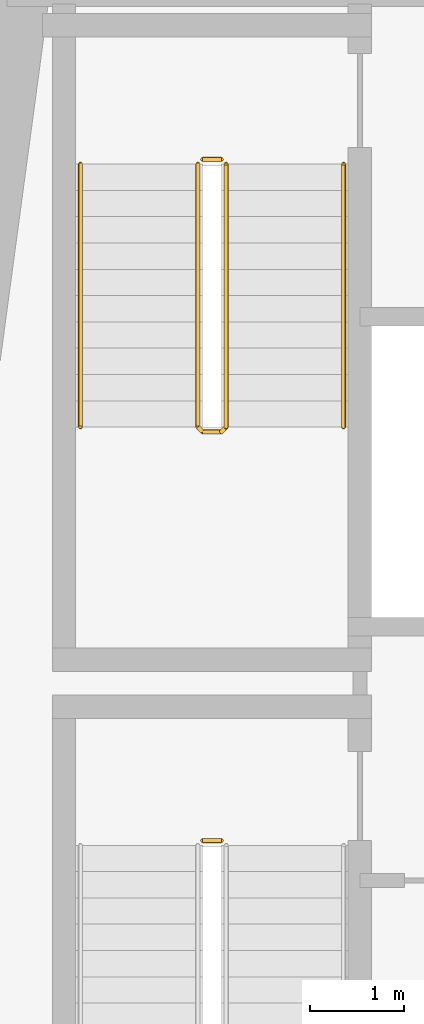
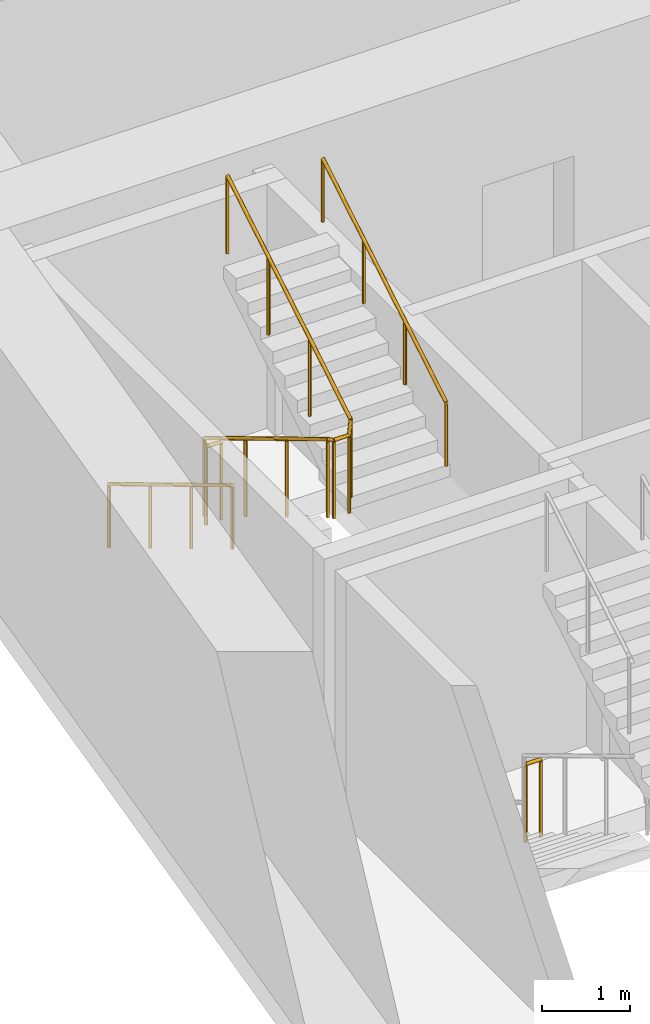
# One storey, part 10 of 13: 5 railings.
"""IFC4 building model written with IfcOpenShell, lengths in metres."""

from ifc_helpers import new_model, si_unit, direction, frame, origin, origin_2d, place, context, subcontext, project, spatial, circle, extrude, material, type_object, element, save


model = new_model("IFC4")

# Units and contexts
model_context = context("Model", 3, precision=1e-05, world=origin(), true_north=direction((0.0, 1.0)))
body_context = subcontext(model_context, "Body", "Model", "MODEL_VIEW")
ifc_project = project(units=[si_unit("LENGTHUNIT", "METRE"), si_unit("AREAUNIT", "SQUARE_METRE"), si_unit("VOLUMEUNIT", "CUBIC_METRE"), si_unit("PLANEANGLEUNIT", "RADIAN"), si_unit("MASSUNIT", "GRAM", prefix="KILO")], contexts=[model_context])

# Site, building, storey
site_placement = place(None, origin())
site = spatial("IfcSite", under=ifc_project, at=site_placement, CompositionType="ELEMENT")
building_placement = place(site_placement, origin())
building = spatial("IfcBuilding", under=site, at=building_placement, Name="Candeia Pilgrim Tower and Theatre", CompositionType="ELEMENT")
storey_placement = place(building_placement, frame((0.0, 0.0, 94.699951171875)))
storey = spatial("IfcBuildingStorey", under=building, at=storey_placement, Name="L21", CompositionType="ELEMENT", Elevation=94.699951171875)

# Railings
ifc_material_1 = material(Name="Stainless steel balustrade", Category="steel")
railing_type_1 = type_object("IfcRailingType", Name="RL-GUARD-1100", PredefinedType="GUARDRAIL", material=ifc_material_1)
railing_1_placement = place(storey_placement, frame((91.152099609375, 122.52490234375, 0.0)))
element("IfcRailing", 1, at=railing_1_placement, inside=storey, type_object=railing_type_1, Name="L21 ST1 stair guard 2", PredefinedType="GUARDRAIL", context=body_context, shape_type="SweptSolid", body=[
    extrude(circle(Radius=0.02392578125, at=origin_2d()), frame((0.0, 0.0, 1.076171875), z_axis=(1.0, 0.0, 0.0), x_axis=(0.0, 1.0, 0.0)), (0.0, 0.0, 1.0), 0.199951171875),
    extrude(circle(Radius=0.02099609375, at=origin_2d()), origin(), (0.0, 0.0, 1.0), 1.052001953125),
    extrude(circle(Radius=0.02099609375, at=origin_2d()), frame((0.199951171875, 0.0, 0.0)), (0.0, 0.0, 1.0), 1.052001953125),
])
railing_2_placement = place(storey_placement, frame((91.10205078125, 129.72509765625, 0.168212890625)))
element("IfcRailing", 2, at=railing_2_placement, inside=storey, type_object=railing_type_1, Name="L21 ST2 stair guard 1", PredefinedType="GUARDRAIL", context=body_context, shape_type="SweptSolid", body=[
    extrude(circle(Radius=0.02392578125, at=origin_2d()), frame((0.0, 0.0, 1.076171875), z_axis=(0.0, -0.857242210791, 0.514913383045), x_axis=(1.0, 0.0, 0.0)), (0.0, 0.0, 1.0), 3.266357421875),
    extrude(circle(Radius=0.02392578125, at=origin_2d()), frame((0.0, -2.800048828125, 2.7578125), z_axis=(0.707106781187, -0.707106781187, 0.0), x_axis=(0.707106781187, 0.707106781187, 0.0)), (0.0, 0.0, 1.0), 0.07080078125),
    extrude(circle(Radius=0.02392578125, at=origin_2d()), frame((0.050048828125, -2.85009765625, 2.7578125), z_axis=(1.0, 0.0, 0.0), x_axis=(0.0, 1.0, 0.0)), (0.0, 0.0, 1.0), 0.199951171875),
    extrude(circle(Radius=0.02392578125, at=origin_2d()), frame((0.25, -2.85009765625, 2.7578125), z_axis=(0.274243871929, 0.274243871929, 0.92172696468), x_axis=(-0.707106781187, 0.707106781187, 0.0)), (0.0, 0.0, 1.0), 0.1826171875),
    extrude(circle(Radius=0.02392578125, at=origin_2d()), frame((0.300048828125, -2.800048828125, 2.92626953125), z_axis=(0.0, 0.857275202839, 0.514858452973), x_axis=(-1.0, 0.0, 0.0)), (0.0, 0.0, 1.0), 3.26611328125),
    extrude(circle(Radius=0.02099609375, at=origin_2d()), origin(), (0.0, 0.0, 1.0), 1.052001953125),
    extrude(circle(Radius=0.02099609375, at=origin_2d()), frame((0.0, -0.933349609375, 0.560546875)), (0.0, 0.0, 1.0), 1.052001953125),
    extrude(circle(Radius=0.02099609375, at=origin_2d()), frame((0.0, -1.86669921875, 1.121337890625)), (0.0, 0.0, 1.0), 1.052001953125),
    extrude(circle(Radius=0.02099609375, at=origin_2d()), frame((0.0, -2.800048828125, 1.681884765625)), (0.0, 0.0, 1.0), 1.052001953125),
    extrude(circle(Radius=0.02099609375, at=origin_2d()), frame((0.050048828125, -2.85009765625, 1.681884765625)), (0.0, 0.0, 1.0), 1.052001953125),
    extrude(circle(Radius=0.02099609375, at=origin_2d()), frame((0.25, -2.85009765625, 1.681884765625)), (0.0, 0.0, 1.0), 1.052001953125),
    extrude(circle(Radius=0.02099609375, at=origin_2d()), frame((0.300048828125, -2.800048828125, 1.85009765625)), (0.0, 0.0, 1.0), 1.052001953125),
    extrude(circle(Radius=0.02099609375, at=origin_2d()), frame((0.300048828125, -1.86669921875, 2.41064453125)), (0.0, 0.0, 1.0), 1.052001953125),
    extrude(circle(Radius=0.02099609375, at=origin_2d()), frame((0.300048828125, -0.933349609375, 2.97119140625)), (0.0, 0.0, 1.0), 1.052001953125),
    extrude(circle(Radius=0.02099609375, at=origin_2d()), frame((0.300048828125, 0.0, 3.53173828125)), (0.0, 0.0, 1.0), 1.052001953125),
])
railing_3_placement = place(storey_placement, frame((91.152099609375, 129.77490234375, 0.0)))
element("IfcRailing", 3, at=railing_3_placement, inside=storey, type_object=railing_type_1, Name="L21 ST2 stair guard 2", PredefinedType="GUARDRAIL", context=body_context, shape_type="SweptSolid", body=[
    extrude(circle(Radius=0.02392578125, at=origin_2d()), frame((0.0, 0.0, 1.076171875), z_axis=(1.0, 0.0, 0.0), x_axis=(0.0, 1.0, 0.0)), (0.0, 0.0, 1.0), 0.199951171875),
    extrude(circle(Radius=0.02099609375, at=origin_2d()), origin(), (0.0, 0.0, 1.0), 1.052001953125),
    extrude(circle(Radius=0.02099609375, at=origin_2d()), frame((0.199951171875, 0.0, 0.0)), (0.0, 0.0, 1.0), 1.052001953125),
])
ifc_material_2 = material(Name="Stainless steel handrail", Category="steel")
railing_type_2 = type_object("IfcRailingType", Name="RL-HANDRAIL-900", PredefinedType="HANDRAIL", material=ifc_material_2)
railing_4_placement = place(storey_placement, frame((89.85205078125, 129.72509765625, 0.168212890625)))
element("IfcRailing", 4, at=railing_4_placement, inside=storey, type_object=railing_type_2, Name="L21 ST2 stair handrail 1", PredefinedType="HANDRAIL", context=body_context, shape_type="SweptSolid", body=[
    extrude(circle(Radius=0.02392578125, at=origin_2d()), frame((0.0, 0.0, 0.8759765625), z_axis=(0.0, -0.857242210791, 0.514913383045), x_axis=(1.0, 0.0, 0.0)), (0.0, 0.0, 1.0), 3.266357421875),
    extrude(circle(Radius=0.02099609375, at=origin_2d()), origin(), (0.0, 0.0, 1.0), 0.851806640625),
    extrude(circle(Radius=0.02099609375, at=origin_2d()), frame((0.0, -0.933349609375, 0.560546875)), (0.0, 0.0, 1.0), 0.851806640625),
    extrude(circle(Radius=0.02099609375, at=origin_2d()), frame((0.0, -1.86669921875, 1.121337890625)), (0.0, 0.0, 1.0), 0.851806640625),
    extrude(circle(Radius=0.02099609375, at=origin_2d()), frame((0.0, -2.800048828125, 1.681884765625)), (0.0, 0.0, 1.0), 0.851806640625),
])
railing_5_placement = place(storey_placement, frame((92.652099609375, 126.925048828125, 2.018310546875)))
element("IfcRailing", 5, at=railing_5_placement, inside=storey, type_object=railing_type_2, Name="L21 ST2 stair handrail 2", PredefinedType="HANDRAIL", context=body_context, shape_type="SweptSolid", body=[
    extrude(circle(Radius=0.02392578125, at=origin_2d()), frame((0.0, 0.0, 0.8759765625), z_axis=(0.0, 0.857275202839, 0.514858452973), x_axis=(-1.0, 0.0, 0.0)), (0.0, 0.0, 1.0), 3.26611328125),
    extrude(circle(Radius=0.02099609375, at=origin_2d()), origin(), (0.0, 0.0, 1.0), 0.851806640625),
    extrude(circle(Radius=0.02099609375, at=origin_2d()), frame((0.0, 0.933349609375, 0.560546875)), (0.0, 0.0, 1.0), 0.851806640625),
    extrude(circle(Radius=0.02099609375, at=origin_2d()), frame((0.0, 1.86669921875, 1.12109375)), (0.0, 0.0, 1.0), 0.851806640625),
    extrude(circle(Radius=0.02099609375, at=origin_2d()), frame((0.0, 2.800048828125, 1.681640625)), (0.0, 0.0, 1.0), 0.851806640625),
])

save(model, "model.ifc")
